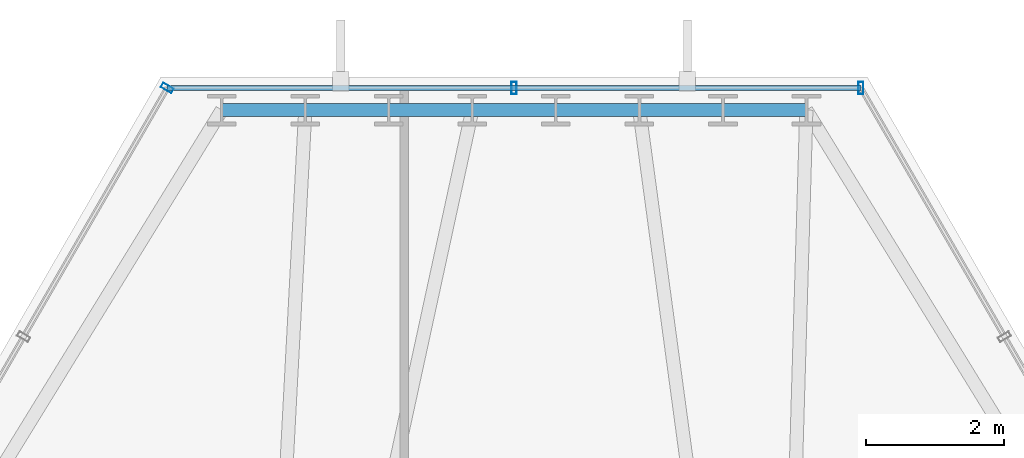
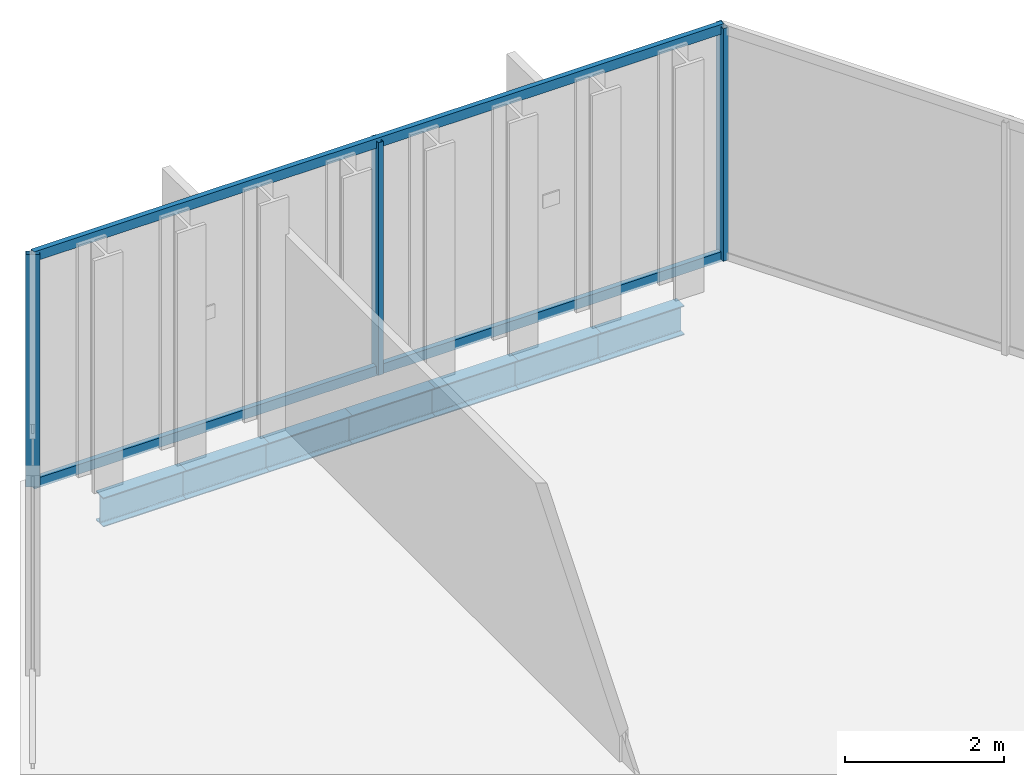
# One storey, part 25 of 35: 7 beams, 5 members, 2 elements without a shape of their own.
"""IFC4 building model written with IfcOpenShell, lengths in metres."""

from ifc_helpers import new_model, si_unit, direction, frame, origin, origin_2d, place, context, subcontext, project, spatial, hollow_rectangle, i_section, extrude, material, layer, layer_set, material_profile, profile_set, type_object, element, aggregate, save


model = new_model("IFC4")

# Units and contexts
model_context = context("Model", 3, precision=1e-05, world=origin(), true_north=direction((0.0, 1.0)))
body_context = subcontext(model_context, "Body", "Model", "MODEL_VIEW")
ifc_project = project(units=[si_unit("LENGTHUNIT", "METRE"), si_unit("AREAUNIT", "SQUARE_METRE"), si_unit("VOLUMEUNIT", "CUBIC_METRE"), si_unit("PLANEANGLEUNIT", "RADIAN"), si_unit("MASSUNIT", "GRAM", prefix="KILO")], contexts=[model_context])

# Site, building, storey
site_placement = place(None, origin())
site = spatial("IfcSite", under=ifc_project, at=site_placement, CompositionType="ELEMENT")
building_placement = place(site_placement, origin())
building = spatial("IfcBuilding", under=site, at=building_placement, Name="Ndaravel Arena Tower", CompositionType="ELEMENT")
storey_placement = place(building_placement, frame((0.0, 0.0, 176.39990234375)))
storey = spatial("IfcBuildingStorey", under=building, at=storey_placement, Name="L42", CompositionType="ELEMENT", Elevation=176.39990234375)

# Beams
ifc_material_1 = material(Name="Steel S355", Category="steel")
ifc_material_profile_1 = material_profile(ifc_material_1, i_section(OverallWidth=0.18994140625, OverallDepth=0.449951171875, WebThickness=0.009521484375, FlangeThickness=0.0146484375, FilletRadius=0.02099609375, at=origin_2d()), Name="IPE 450")
ifc_profile_set_1 = profile_set([ifc_material_profile_1], Name="Steel S355")
beam_type = type_object("IfcBeamType", Name="BM-SPAN-IPE450", PredefinedType="SPANDREL", material=ifc_profile_set_1)
for number, where, z_axis, x_axis, name in (
    (1, (46.229736328125, 45.92822265625, -0.44482421875), (-1.0, 0.0, 0.0), (0.0, -1.0, 0.0), "L42 Perimeter Spandrel Beam SP-11"),
    (2, (45.021240234375, 45.92822265625, -0.44482421875), (-1.0, 0.0, 0.0), (0.0, -1.0, 0.0), "L42 Perimeter Spandrel Beam SP-12"),
    (3, (43.812744140625, 45.92822265625, -0.44482421875), (-1.0, 0.0, 0.0), (0.0, -1.0, 0.0), "L42 Perimeter Spandrel Beam SP-13"),
    (4, (42.604248046875, 45.92822265625, -0.44482421875), (-1.0, 0.0, 0.0), (0.0, -1.0, 0.0), "L42 Perimeter Spandrel Beam SP-14"),
    (5, (41.395751953125, 45.92822265625, -0.44482421875), (-1.0, 0.0, 0.0), (0.0, -1.0, 0.0), "L42 Perimeter Spandrel Beam SP-15"),
    (6, (40.187255859375, 45.92822265625, -0.44482421875), (-1.0, 0.0, 0.0), (0.0, -1.0, 0.0), "L42 Perimeter Spandrel Beam SP-16"),
    (7, (38.978759765625, 45.92822265625, -0.44482421875), (-1.0, 0.0, 0.0), (0.0, -1.0, 0.0), "L42 Perimeter Spandrel Beam SP-17"),
):
    element("IfcBeam", number, at=place(storey_placement, frame(where, z_axis=z_axis, x_axis=x_axis)), inside=storey, type_object=beam_type, Name=name, PredefinedType="SPANDREL", context=body_context, shape_type="SweptSolid", body=[
        extrude(i_section(OverallWidth=0.18994140625, OverallDepth=0.449951171875, WebThickness=0.009521484375, FlangeThickness=0.0146484375, FilletRadius=0.02099609375, at=origin_2d()), origin(), (0.0, 0.0, 1.0), 1.20849609375),
    ])

# Curtain wall, members
ifc_material_2 = material(Name="Aluminium", Category="aluminium")
ifc_layer_1 = layer(ifc_material_2, 0.179931640625)
ifc_layer_set_1 = layer_set([ifc_layer_1], Name="Aluminium")
curtain_wall_type_1 = type_object("IfcCurtainWallType", Name="CW-SYS-01", PredefinedType="NOTDEFINED", material=ifc_layer_set_1)
curtain_wall_1_placement = place(storey_placement, origin())
curtain_wall_1 = element("IfcCurtainWall", 8, at=curtain_wall_1_placement, inside=storey, type_object=curtain_wall_type_1, Name="L42 Faceted Crystal Curtain Wall CW-L42-E04", PredefinedType="NOTDEFINED")
ifc_material_3 = material(Name="Aluminium", Category="aluminium")
ifc_material_profile_2 = material_profile(ifc_material_3, hollow_rectangle(XDim=0.074951171875, YDim=0.179931640625, WallThickness=0.00390625, at=origin_2d()), Name="CW MULLION 75x180x4")
ifc_profile_set_2 = profile_set([ifc_material_profile_2], Name="Aluminium")
member_type_1 = type_object("IfcMemberType", Name="MEM-CW-MUL180", PredefinedType="MULLION", material=ifc_profile_set_2)
member_1_placement = place(storey_placement, frame((47.018798828125, 46.248291015625, 0.0), z_axis=(0.0, 0.0, 1.0), x_axis=(-1.0, 0.0, 0.0)))
member_1 = element("IfcMember", 9, at=member_1_placement, type_object=member_type_1, Name="CW-L42-E04 Mullion 00", PredefinedType="MULLION", context=body_context, shape_type="SweptSolid", body=[
    extrude(hollow_rectangle(XDim=0.074951171875, YDim=0.179931640625, WallThickness=0.00390625, at=origin_2d()), origin(), (0.0, 0.0, 1.0), 3.580078125),
])
member_2_placement = place(storey_placement, frame((42.0, 46.248291015625, 0.0), z_axis=(0.0, 0.0, 1.0), x_axis=(-1.0, 0.0, 0.0)))
member_2 = element("IfcMember", 10, at=member_2_placement, type_object=member_type_1, Name="CW-L42-E04 Mullion 01", PredefinedType="MULLION", context=body_context, shape_type="SweptSolid", body=[
    extrude(hollow_rectangle(XDim=0.074951171875, YDim=0.179931640625, WallThickness=0.00390625, at=origin_2d()), origin(), (0.0, 0.0, 1.0), 3.580078125),
])

# Curtain wall, member
ifc_material_4 = material(Name="Aluminium", Category="aluminium")
ifc_layer_2 = layer(ifc_material_4, 0.179931640625)
ifc_layer_set_2 = layer_set([ifc_layer_2], Name="Aluminium")
curtain_wall_type_2 = type_object("IfcCurtainWallType", Name="CW-SYS-03", PredefinedType="NOTDEFINED", material=ifc_layer_set_2)
curtain_wall_2_placement = place(storey_placement, origin())
curtain_wall_2 = element("IfcCurtainWall", 11, at=curtain_wall_2_placement, inside=storey, type_object=curtain_wall_type_2, Name="L42 Faceted Crystal Curtain Wall CW-L42-E05", PredefinedType="NOTDEFINED")
member_3_placement = place(storey_placement, frame((36.981201171875, 46.248291015625, 0.0), z_axis=(0.0, 0.0, 1.0), x_axis=(-0.5, -0.866025403784, 0.0)))
member_3 = element("IfcMember", 12, at=member_3_placement, type_object=member_type_1, Name="CW-L42-E05 Mullion 00", PredefinedType="MULLION", context=body_context, shape_type="SweptSolid", body=[
    extrude(hollow_rectangle(XDim=0.074951171875, YDim=0.179931640625, WallThickness=0.00390625, at=origin_2d()), origin(), (0.0, 0.0, 1.0), 3.580078125),
])
aggregate(curtain_wall_2, [member_3])

# Member
ifc_material_5 = material(Name="Aluminium", Category="aluminium")
ifc_material_profile_3 = material_profile(ifc_material_5, hollow_rectangle(XDim=0.074951171875, YDim=0.14990234375, WallThickness=0.00390625, at=origin_2d()), Name="CW TRANSOM 75x150x4")
ifc_profile_set_3 = profile_set([ifc_material_profile_3], Name="Aluminium")
member_type_2 = type_object("IfcMemberType", Name="MEM-CW-TRN150", PredefinedType="USERDEFINED", material=ifc_profile_set_3)
member_4_placement = place(storey_placement, frame((47.018798828125, 46.248291015625, 0.0400390625), z_axis=(-1.0, 0.0, 0.0), x_axis=(0.0, -1.0, 0.0)))
member_4 = element("IfcMember", 13, at=member_4_placement, type_object=member_type_2, Name="CW-L42-E04 Transom 01", ObjectType="TRANSOM", PredefinedType="USERDEFINED", context=body_context, shape_type="SweptSolid", body=[
    extrude(hollow_rectangle(XDim=0.074951171875, YDim=0.14990234375, WallThickness=0.00390625, at=origin_2d()), origin(), (0.0, 0.0, 1.0), 10.03759765625),
])

member_5_placement = place(storey_placement, frame((47.018798828125, 46.248291015625, 3.5400390625), z_axis=(-1.0, 0.0, 0.0), x_axis=(0.0, -1.0, 0.0)))
member_5 = element("IfcMember", 14, at=member_5_placement, type_object=member_type_2, Name="CW-L42-E04 Transom 02", ObjectType="TRANSOM", PredefinedType="USERDEFINED", context=body_context, shape_type="SweptSolid", body=[
    extrude(hollow_rectangle(XDim=0.074951171875, YDim=0.14990234375, WallThickness=0.00390625, at=origin_2d()), origin(), (0.0, 0.0, 1.0), 10.03759765625),
])

aggregate(curtain_wall_1, [member_1, member_2, member_4, member_5])

save(model, "model.ifc")
